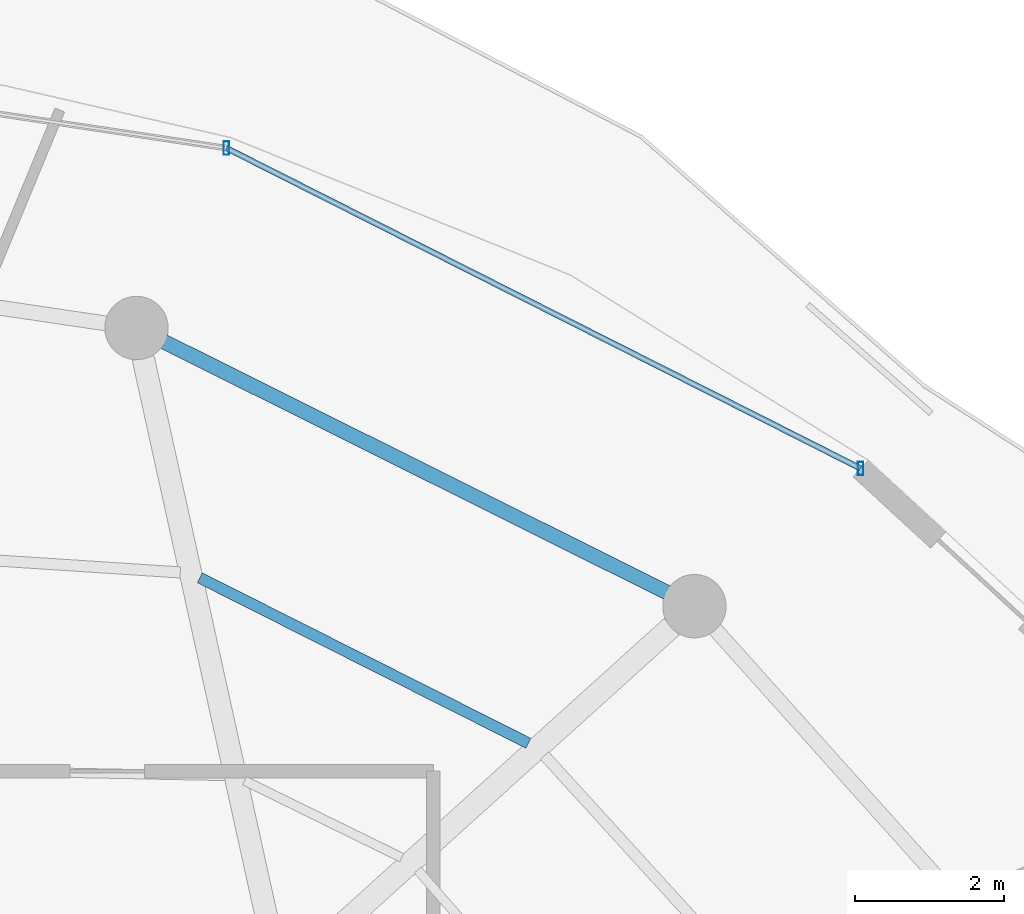
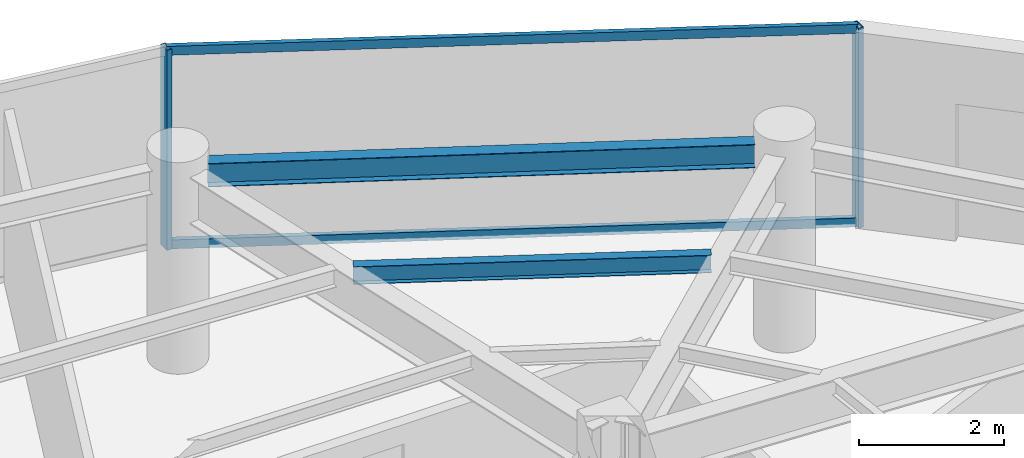
# One storey, part 21 of 31: 4 members, 2 beams, 1 element without a shape of its own.
"""IFC4 building model written with IfcOpenShell, lengths in metres."""

from ifc_helpers import new_model, si_unit, direction, frame, origin, origin_2d, place, context, subcontext, project, spatial, hollow_rectangle, i_section, extrude, material, material_profile, profile_set, type_object, element, aggregate, save


model = new_model("IFC4")

# Units and contexts
model_context = context("Model", 3, precision=1e-05, world=origin(), true_north=direction((0.0, 1.0)))
body_context = subcontext(model_context, "Body", "Model", "MODEL_VIEW")
ifc_project = project(units=[si_unit("LENGTHUNIT", "METRE"), si_unit("AREAUNIT", "SQUARE_METRE"), si_unit("VOLUMEUNIT", "CUBIC_METRE"), si_unit("PLANEANGLEUNIT", "RADIAN"), si_unit("MASSUNIT", "GRAM", prefix="KILO")], contexts=[model_context])

# Site, building, storey
site_placement = place(None, origin())
site = spatial("IfcSite", under=ifc_project, at=site_placement, CompositionType="ELEMENT")
building_placement = place(site_placement, origin())
building = spatial("IfcBuilding", under=site, at=building_placement, Name="Vorneva Point Tower", CompositionType="ELEMENT")
storey_placement = place(building_placement, frame((0.0, 0.0, 248.449951171875)))
storey = spatial("IfcBuildingStorey", under=building, at=storey_placement, Name="L67", CompositionType="ELEMENT", Elevation=248.449951171875)

# Beams
ifc_material_1 = material(Name="Steel S355", Category="steel")
ifc_material_profile_1 = material_profile(ifc_material_1, i_section(OverallWidth=0.14892578125, OverallDepth=0.298095703125, WebThickness=0.005615234375, FlangeThickness=0.008056640625, at=origin_2d()), Name="30B1")
ifc_profile_set_1 = profile_set([ifc_material_profile_1], Name="Steel S355")
beam_type_1 = type_object("IfcBeamType", Name="BM-JST-30B1", PredefinedType="JOIST", material=ifc_profile_set_1)
beam_1_placement = place(storey_placement, frame((52.07275390625, 36.32470703125, 3.14111328125), z_axis=(-0.893046523207, 0.449964340129, 0.0), x_axis=(-0.449964340129, -0.893046523207, 0.0)))
element("IfcBeam", 1, at=beam_1_placement, inside=storey, type_object=beam_type_1, Name="L67 Secondary Floor Beam 1.03", PredefinedType="JOIST", context=body_context, shape_type="SweptSolid", body=[
    extrude(i_section(OverallWidth=0.14892578125, OverallDepth=0.298095703125, WebThickness=0.005615234375, FlangeThickness=0.008056640625, at=origin_2d()), origin(), (0.0, 0.0, 1.0), 4.930908203125),
])
ifc_material_profile_2 = material_profile(ifc_material_1, i_section(OverallWidth=0.198974609375, OverallDepth=0.39599609375, WebThickness=0.007080078125, FlangeThickness=0.010986328125, at=origin_2d()), Name="40B1")
ifc_profile_set_2 = profile_set([ifc_material_profile_2], Name="Steel S355")
beam_type_2 = type_object("IfcBeamType", Name="BM-SPN-40B1", PredefinedType="SPANDREL", material=ifc_profile_set_2)
beam_2_placement = place(storey_placement, frame((53.931884765625, 38.34521484375, 3.092041015625), z_axis=(-0.894932011528, 0.446202526599, 0.0), x_axis=(-0.446202526599, -0.894932011528, 0.0)))
element("IfcBeam", 2, at=beam_2_placement, inside=storey, type_object=beam_type_2, Name="L67 Perimeter Spandrel Ring Beam 03", PredefinedType="SPANDREL", context=body_context, shape_type="SweptSolid", body=[
    extrude(i_section(OverallWidth=0.198974609375, OverallDepth=0.39599609375, WebThickness=0.007080078125, FlangeThickness=0.010986328125, at=origin_2d()), origin(), (0.0, 0.0, 1.0), 7.535888671875),
])

# Curtain wall, members
ifc_material_2 = material(Name="Pale anodised aluminium", Category="aluminium")
curtain_wall_type = type_object("IfcCurtainWallType", Name="CW-RES-SYS", PredefinedType="NOTDEFINED", material=ifc_material_2)
curtain_wall_placement = place(storey_placement, origin())
curtain_wall = element("IfcCurtainWall", 3, at=curtain_wall_placement, inside=storey, type_object=curtain_wall_type, Name="L67 Unitised Curtain Wall CW-L67-R02", PredefinedType="NOTDEFINED")
ifc_material_profile_3 = material_profile(ifc_material_2, hollow_rectangle(XDim=0.074951171875, YDim=0.179931640625, WallThickness=0.00390625, at=origin_2d()), Name="AL-MUL 180x75x4")
ifc_profile_set_3 = profile_set([ifc_material_profile_3], Name="Pale anodised aluminium")
member_type_1 = type_object("IfcMemberType", Name="CW-MUL-180", PredefinedType="MULLION", material=ifc_profile_set_3)
member_1_placement = place(storey_placement, frame((56.526123046875, 40.0078125, -0.0400390625), z_axis=(0.0, 0.0, 1.0), x_axis=(1.0, 0.0, 0.0)))
member_1 = element("IfcMember", 4, at=member_1_placement, type_object=member_type_1, Name="CW-L67-R02 Mullion 01", PredefinedType="MULLION", context=body_context, shape_type="SweptSolid", body=[
    extrude(hollow_rectangle(XDim=0.074951171875, YDim=0.179931640625, WallThickness=0.00390625, at=origin_2d()), origin(), (0.0, 0.0, 1.0), 3.360107421875),
])
member_2_placement = place(storey_placement, frame((48.0263671875, 44.302001953125, -0.0400390625), z_axis=(0.0, 0.0, 1.0), x_axis=(1.0, 0.0, 0.0)))
member_2 = element("IfcMember", 5, at=member_2_placement, type_object=member_type_1, Name="CW-L67-R02 Mullion 02", PredefinedType="MULLION", context=body_context, shape_type="SweptSolid", body=[
    extrude(hollow_rectangle(XDim=0.074951171875, YDim=0.179931640625, WallThickness=0.00390625, at=origin_2d()), origin(), (0.0, 0.0, 1.0), 3.360107421875),
])
ifc_material_profile_4 = material_profile(ifc_material_2, hollow_rectangle(XDim=0.074951171875, YDim=0.14990234375, WallThickness=0.00390625, at=origin_2d()), Name="AL-TRN 150x75x4")
ifc_profile_set_4 = profile_set([ifc_material_profile_4], Name="Pale anodised aluminium")
member_type_2 = type_object("IfcMemberType", Name="CW-TRN-150", PredefinedType="USERDEFINED", material=ifc_profile_set_4)
member_3_placement = place(storey_placement, frame((56.526123046875, 40.0078125, 0.02001953125), z_axis=(-0.892558185815, 0.450932239848, 0.0), x_axis=(-0.450932239848, -0.892558185815, 0.0)))
member_3 = element("IfcMember", 6, at=member_3_placement, type_object=member_type_2, Name="CW-L67-R02 Transom 01.1", ObjectType="TRANSOM", PredefinedType="USERDEFINED", context=body_context, shape_type="SweptSolid", body=[
    extrude(hollow_rectangle(XDim=0.074951171875, YDim=0.14990234375, WallThickness=0.00390625, at=origin_2d()), origin(), (0.0, 0.0, 1.0), 9.52294921875),
])
member_4_placement = place(storey_placement, frame((56.526123046875, 40.0078125, 3.27001953125), z_axis=(-0.892558185815, 0.450932239848, 0.0), x_axis=(-0.450932239848, -0.892558185815, 0.0)))
member_4 = element("IfcMember", 7, at=member_4_placement, type_object=member_type_2, Name="CW-L67-R02 Transom 01.2", ObjectType="TRANSOM", PredefinedType="USERDEFINED", context=body_context, shape_type="SweptSolid", body=[
    extrude(hollow_rectangle(XDim=0.074951171875, YDim=0.14990234375, WallThickness=0.00390625, at=origin_2d()), origin(), (0.0, 0.0, 1.0), 9.52294921875),
])
aggregate(curtain_wall, [member_1, member_2, member_3, member_4])

save(model, "model.ifc")
